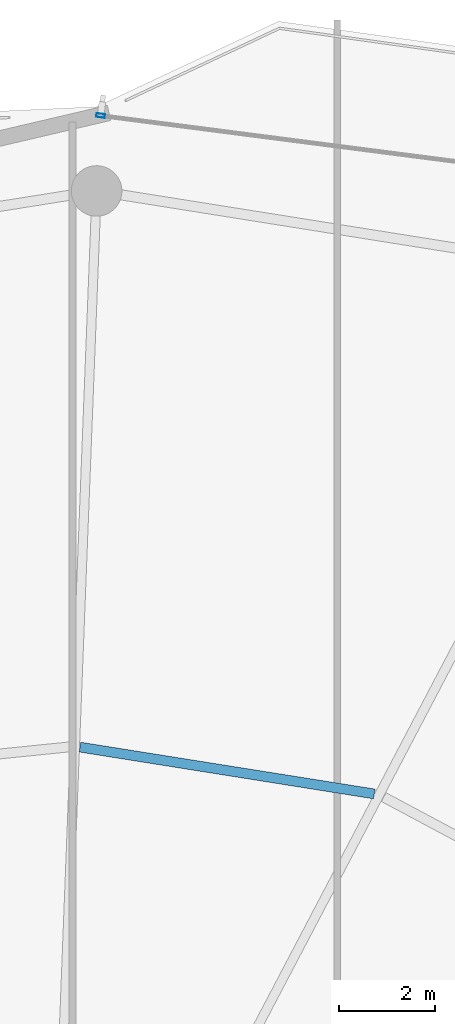
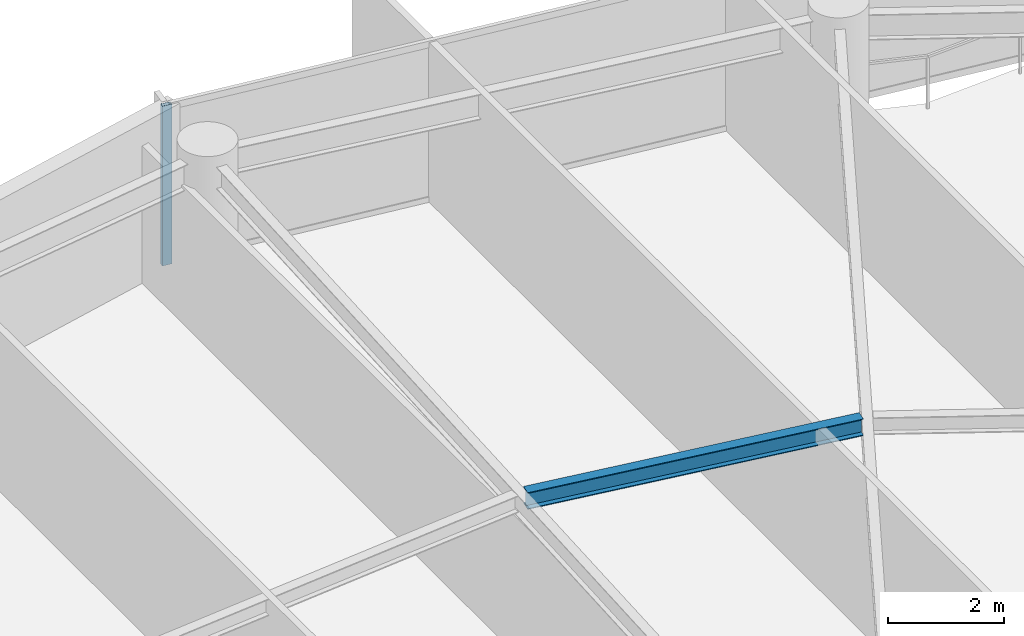
# One storey, part 20 of 31: 1 beam, 1 member, 1 element without a shape of its own.
"""IFC4 building model written with IfcOpenShell, lengths in metres."""

from ifc_helpers import new_model, si_unit, direction, frame, origin, origin_2d, place, context, subcontext, project, spatial, hollow_rectangle, i_section, extrude, material, layer, layer_set, material_profile, profile_set, type_object, element, aggregate, save


model = new_model("IFC4")

# Units and contexts
model_context = context("Model", 3, precision=1e-05, world=origin(), true_north=direction((0.0, 1.0)))
body_context = subcontext(model_context, "Body", "Model", "MODEL_VIEW")
ifc_project = project(units=[si_unit("LENGTHUNIT", "METRE"), si_unit("AREAUNIT", "SQUARE_METRE"), si_unit("VOLUMEUNIT", "CUBIC_METRE"), si_unit("PLANEANGLEUNIT", "RADIAN"), si_unit("MASSUNIT", "GRAM", prefix="KILO")], contexts=[model_context])

# Site, building, storey
site_placement = place(None, origin())
site = spatial("IfcSite", under=ifc_project, at=site_placement, CompositionType="ELEMENT")
building_placement = place(site_placement, origin())
building = spatial("IfcBuilding", under=site, at=building_placement, Name="Kazevale Care Tower and Concert Hall", CompositionType="ELEMENT")
storey_placement = place(building_placement, frame((0.0, 0.0, 217.199951171875)))
storey = spatial("IfcBuildingStorey", under=building, at=storey_placement, Name="L57", CompositionType="ELEMENT", Elevation=217.199951171875)

# Curtain wall, member
ifc_material_1 = material(Name="Aluminium 6063-T6 and Low-E Glass", Category="aluminium")
ifc_layer = layer(ifc_material_1, 0.179931640625)
ifc_layer_set = layer_set([ifc_layer], Name="Aluminium 6063-T6 and Low-E Glass")
curtain_wall_type = type_object("IfcCurtainWallType", Name="Waist & Upper Residential Curtain Wall CW-4", PredefinedType="NOTDEFINED", material=ifc_layer_set)
curtain_wall_placement = place(storey_placement, origin())
curtain_wall = element("IfcCurtainWall", 1, at=curtain_wall_placement, inside=storey, type_object=curtain_wall_type, Name="cw:L57:f16", PredefinedType="NOTDEFINED")
ifc_material_2 = material(Name="Aluminium 6063-T6", Category="aluminium")
ifc_material_profile_1 = material_profile(ifc_material_2, hollow_rectangle(XDim=0.080078125, YDim=0.179931640625, WallThickness=0.0048828125, at=origin_2d()), Name="ALU80x180x5")
ifc_profile_set_1 = profile_set([ifc_material_profile_1], Name="Aluminium 6063-T6")
member_type = type_object("IfcMemberType", Name="CW-4 Mullion ALU80x180x5", PredefinedType="MULLION", material=ifc_profile_set_1)
member_placement = place(storey_placement, frame((45.083740234375, 63.616943359375, 0.0), z_axis=(0.0, 0.0, 1.0), x_axis=(0.128098132904, 0.991761497713, 0.0)))
member = element("IfcMember", 2, at=member_placement, type_object=member_type, Name="CW-4 mullion 1", PredefinedType="MULLION", context=body_context, shape_type="SweptSolid", body=[
    extrude(hollow_rectangle(XDim=0.080078125, YDim=0.179931640625, WallThickness=0.0048828125, at=origin_2d()), origin(), (0.0, 0.0, 1.0), 3.360107421875),
])
aggregate(curtain_wall, [member])

# Beam
ifc_material_3 = material(Name="Steel ASTM A572 Gr 50", Category="steel")
ifc_material_profile_2 = material_profile(ifc_material_3, i_section(OverallWidth=0.205078125, OverallDepth=0.35400390625, WebThickness=0.009521484375, FlangeThickness=0.016845703125, at=origin_2d()), Name="W360x79")
ifc_profile_set_2 = profile_set([ifc_material_profile_2], Name="Steel ASTM A572 Gr 50")
beam_type = type_object("IfcBeamType", Name="Secondary Floor Joist W360x79", PredefinedType="JOIST", material=ifc_profile_set_2)
beam_placement = place(storey_placement, frame((50.77099609375, 49.51806640625, 3.18310546875), z_axis=(-0.987586560603, 0.157075731152, 0.0), x_axis=(-0.157075731152, -0.987586560603, 0.0)))
element("IfcBeam", 3, at=beam_placement, inside=storey, type_object=beam_type, Name="beam:L57:joist:04", PredefinedType="JOIST", context=body_context, shape_type="SweptSolid", body=[
    extrude(i_section(OverallWidth=0.205078125, OverallDepth=0.35400390625, WebThickness=0.009521484375, FlangeThickness=0.016845703125, at=origin_2d()), origin(), (0.0, 0.0, 1.0), 6.19384765625),
])

save(model, "model.ifc")
